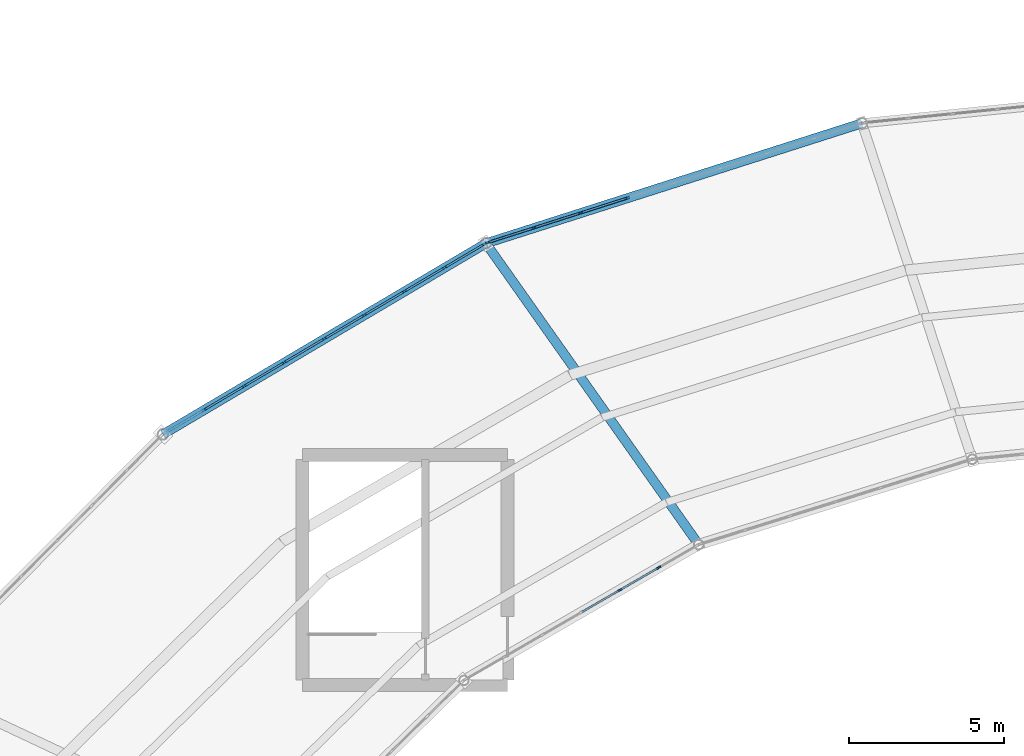
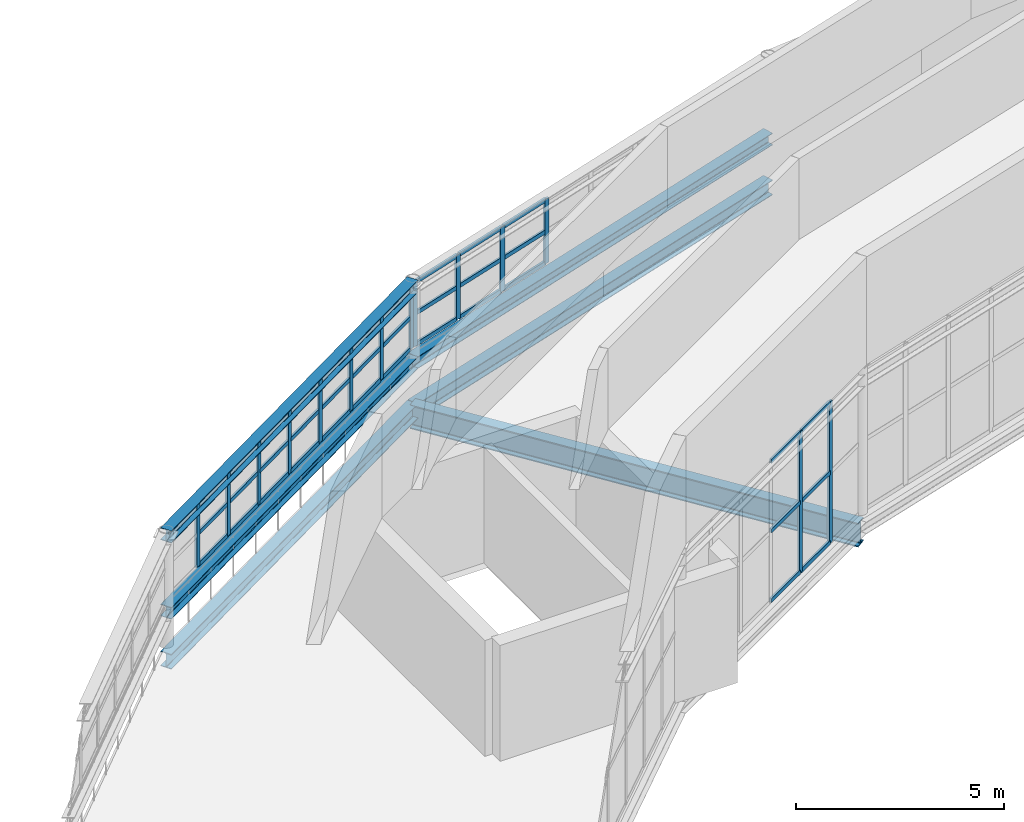
# One storey, part 49 of 123: 51 members, 6 beams, 3 elements without a shape of their own.
"""IFC4 building model written with IfcOpenShell, lengths in metres."""

from ifc_helpers import new_model, si_unit, direction, frame, origin, origin_2d, place, context, subcontext, project, spatial, rectangle, i_section, extrude, material, material_profile, profile_set, type_object, element, aggregate, save


model = new_model("IFC4")

# Units and contexts
model_context = context("Model", 3, precision=1e-05, world=origin(), true_north=direction((0.0, 1.0)))
body_context = subcontext(model_context, "Body", "Model", "MODEL_VIEW")
ifc_project = project(units=[si_unit("LENGTHUNIT", "METRE"), si_unit("AREAUNIT", "SQUARE_METRE"), si_unit("VOLUMEUNIT", "CUBIC_METRE"), si_unit("PLANEANGLEUNIT", "RADIAN"), si_unit("MASSUNIT", "GRAM", prefix="KILO")], contexts=[model_context])

# Site, building, storey
site_placement = place(None, origin())
site = spatial("IfcSite", under=ifc_project, at=site_placement, CompositionType="ELEMENT")
building_placement = place(site_placement, origin())
building = spatial("IfcBuilding", under=site, at=building_placement, Name="Kildeholm Park Wholesale Market", CompositionType="ELEMENT")
storey_placement = place(building_placement, frame((0.0, 0.0, 9.60009765625)))
storey = spatial("IfcBuildingStorey", under=building, at=storey_placement, Name="L02", CompositionType="ELEMENT", Elevation=9.60009765625)

# Beams
ifc_material_1 = material(Name="Steel S355", Category="steel")
ifc_material_profile_1 = material_profile(ifc_material_1, i_section(OverallWidth=0.300048828125, OverallDepth=0.699951171875, WebThickness=0.01708984375, FlangeThickness=0.031982421875, FilletRadius=0.027099609375, at=origin_2d()), Name="HEB 700")
ifc_profile_set_1 = profile_set([ifc_material_profile_1], Name="Steel S355")
beam_type_1 = type_object("IfcBeamType", Name="Beam B-G01 HEB 700", PredefinedType="BEAM", material=ifc_profile_set_1)
beam_1_placement = place(storey_placement, frame((80.75, 113.31591796875, -0.60009765625), z_axis=(-0.576894674263, 0.816818544603, 0.0), x_axis=(-0.816818544603, -0.576894674263, 0.0)))
element("IfcBeam", 1, at=beam_1_placement, inside=storey, type_object=beam_type_1, Name="Beam BM-V1-L02-R1-08 BM-0076", PredefinedType="BEAM", context=body_context, shape_type="SweptSolid", body=[
    extrude(i_section(OverallWidth=0.300048828125, OverallDepth=0.699951171875, WebThickness=0.01708984375, FlangeThickness=0.031982421875, FilletRadius=0.027099609375, at=origin_2d()), origin(), (0.0, 0.0, 1.0), 11.8740234375),
])
ifc_material_profile_2 = material_profile(ifc_material_1, i_section(OverallWidth=0.300048828125, OverallDepth=0.35009765625, WebThickness=0.010009765625, FlangeThickness=0.017578125, FilletRadius=0.027099609375, at=origin_2d()), Name="HEA 360")
ifc_profile_set_2 = profile_set([ifc_material_profile_2], Name="Steel S355")
beam_type_2 = type_object("IfcBeamType", Name="Beam B-R01 HEA 360", PredefinedType="BEAM", material=ifc_profile_set_2)
beam_2_placement = place(storey_placement, frame((86.007080078125, 126.881103515625, 0.94775390625), z_axis=(-0.952608649326, -0.304198555599, 0.0), x_axis=(0.304198555599, -0.952608649326, 0.0)))
element("IfcBeam", 2, at=beam_2_placement, inside=storey, type_object=beam_type_2, Name="Beam BM-V1-S1IN-07 BM-0263", PredefinedType="BEAM", context=body_context, shape_type="SweptSolid", body=[
    extrude(i_section(OverallWidth=0.300048828125, OverallDepth=0.35009765625, WebThickness=0.010009765625, FlangeThickness=0.017578125, FilletRadius=0.027099609375, at=origin_2d()), origin(), (0.0, 0.0, 1.0), 12.70947265625),
])
beam_3_placement = place(storey_placement, frame((73.89990234375, 123.014892578125, 0.94775390625), z_axis=(-0.860700316594, -0.509111937609, 0.0), x_axis=(0.509111937609, -0.860700316594, 0.0)))
element("IfcBeam", 3, at=beam_3_placement, inside=storey, type_object=beam_type_2, Name="Beam BM-V1-S1IN-08 BM-0269", PredefinedType="BEAM", context=body_context, shape_type="SweptSolid", body=[
    extrude(i_section(OverallWidth=0.300048828125, OverallDepth=0.35009765625, WebThickness=0.010009765625, FlangeThickness=0.017578125, FilletRadius=0.027099609375, at=origin_2d()), origin(), (0.0, 0.0, 1.0), 12.07958984375),
])
ifc_material_profile_3 = material_profile(ifc_material_1, i_section(OverallWidth=0.300048828125, OverallDepth=0.43994140625, WebThickness=0.011474609375, FlangeThickness=0.02099609375, FilletRadius=0.027099609375, at=origin_2d()), Name="HEA 450")
ifc_profile_set_3 = profile_set([ifc_material_profile_3], Name="Steel S355")
beam_type_3 = type_object("IfcBeamType", Name="Beam B-R02 HEA 450", PredefinedType="BEAM", material=ifc_profile_set_3)
beam_4_placement = place(storey_placement, frame((86.007080078125, 126.881103515625, -0.47412109375), z_axis=(-0.952608649326, -0.304198555599, 0.0), x_axis=(0.304198555599, -0.952608649326, 0.0)))
element("IfcBeam", 4, at=beam_4_placement, inside=storey, type_object=beam_type_3, Name="Beam BM-V1-L02-CM-07 BM-0073", PredefinedType="BEAM", context=body_context, shape_type="SweptSolid", body=[
    extrude(i_section(OverallWidth=0.300048828125, OverallDepth=0.43994140625, WebThickness=0.011474609375, FlangeThickness=0.02099609375, FilletRadius=0.027099609375, at=origin_2d()), origin(), (0.0, 0.0, 1.0), 12.70947265625),
])
beam_5_placement = place(storey_placement, frame((73.89990234375, 123.014892578125, -0.47412109375), z_axis=(-0.860700316594, -0.509111937609, 0.0), x_axis=(0.509111937609, -0.860700316594, 0.0)))
element("IfcBeam", 5, at=beam_5_placement, inside=storey, type_object=beam_type_3, Name="Beam BM-V1-L02-CM-08 BM-0082", PredefinedType="BEAM", context=body_context, shape_type="SweptSolid", body=[
    extrude(i_section(OverallWidth=0.300048828125, OverallDepth=0.43994140625, WebThickness=0.011474609375, FlangeThickness=0.02099609375, FilletRadius=0.027099609375, at=origin_2d()), origin(), (0.0, 0.0, 1.0), 12.07958984375),
])
ifc_material_profile_4 = material_profile(ifc_material_1, i_section(OverallWidth=0.300048828125, OverallDepth=0.360107421875, WebThickness=0.012451171875, FlangeThickness=0.0224609375, FilletRadius=0.027099609375, at=origin_2d()), Name="HEB 360")
ifc_profile_set_4 = profile_set([ifc_material_profile_4], Name="Steel S355")
beam_type_4 = type_object("IfcBeamType", Name="Beam B-R03 HEB 360", PredefinedType="BEAM", material=ifc_profile_set_4)
beam_6_placement = place(storey_placement, frame((73.89990234375, 123.014892578125, 3.18994140625), z_axis=(-0.860700316594, -0.509111937609, 0.0), x_axis=(0.509111937609, -0.860700316594, 0.0)))
element("IfcBeam", 6, at=beam_6_placement, inside=storey, type_object=beam_type_4, Name="Beam BM-V1-RF-M1-08 BM-0270", PredefinedType="BEAM", context=body_context, shape_type="SweptSolid", body=[
    extrude(i_section(OverallWidth=0.300048828125, OverallDepth=0.360107421875, WebThickness=0.012451171875, FlangeThickness=0.0224609375, FilletRadius=0.027099609375, at=origin_2d()), origin(), (0.0, 0.0, 1.0), 12.07958984375),
])

# Curtain wall, members
ifc_material_2 = material(Name="Anodised aluminium and low-E double-glazed glass", Category="aluminium")
curtain_wall_type = type_object("IfcCurtainWallType", Name="Clerestory daylight stick curtain wall CW-02", PredefinedType="NOTDEFINED", material=ifc_material_2)
curtain_wall_1_placement = place(storey_placement, origin())
curtain_wall_1 = element("IfcCurtainWall", 7, at=curtain_wall_1_placement, inside=storey, type_object=curtain_wall_type, Name="Curtain wall CW-V1-CL-07 CW-0036", PredefinedType="NOTDEFINED")
ifc_material_3 = material(Name="Anodised aluminium", Category="aluminium")
ifc_material_profile_5 = material_profile(ifc_material_3, rectangle(XDim=0.06005859375, YDim=0.14990234375, at=origin_2d()), Name="CWM 60x150")
ifc_profile_set_5 = profile_set([ifc_material_profile_5], Name="Anodised aluminium")
member_type_1 = type_object("IfcMemberType", Name="Curtain-wall mullion CWM-3 CWM 60x150", PredefinedType="MULLION", material=ifc_profile_set_5)
member_1_placement = place(storey_placement, frame((78.447509765625, 124.4716796875, 1.349853515625), z_axis=(0.0, 0.0, 1.0), x_axis=(0.304206822997, -0.952606009241, 0.0)))
member_1 = element("IfcMember", 8, at=member_1_placement, type_object=member_type_1, Name="CW-02 mullion 6 MEM-1394", PredefinedType="MULLION", context=body_context, shape_type="SweptSolid", body=[
    extrude(rectangle(XDim=0.06005859375, YDim=0.14990234375, at=origin_2d()), origin(), (0.0, 0.0, 1.0), 1.900146484375),
])
member_2_placement = place(storey_placement, frame((76.94384765625, 123.991455078125, 1.349853515625), z_axis=(0.0, 0.0, 1.0), x_axis=(0.304206822997, -0.952606009241, 0.0)))
member_2 = element("IfcMember", 9, at=member_2_placement, type_object=member_type_1, Name="CW-02 mullion 7 MEM-1395", PredefinedType="MULLION", context=body_context, shape_type="SweptSolid", body=[
    extrude(rectangle(XDim=0.06005859375, YDim=0.14990234375, at=origin_2d()), origin(), (0.0, 0.0, 1.0), 1.900146484375),
])
member_3_placement = place(storey_placement, frame((75.43994140625, 123.51123046875, 1.349853515625), z_axis=(0.0, 0.0, 1.0), x_axis=(0.304206822997, -0.952606009241, 0.0)))
member_3 = element("IfcMember", 10, at=member_3_placement, type_object=member_type_1, Name="CW-02 mullion 8 MEM-1396", PredefinedType="MULLION", context=body_context, shape_type="SweptSolid", body=[
    extrude(rectangle(XDim=0.06005859375, YDim=0.14990234375, at=origin_2d()), origin(), (0.0, 0.0, 1.0), 1.900146484375),
])
member_4_placement = place(storey_placement, frame((73.964599609375, 123.0400390625, 1.349853515625), z_axis=(0.0, 0.0, 1.0), x_axis=(0.304206822997, -0.952606009241, 0.0)))
member_4 = element("IfcMember", 11, at=member_4_placement, type_object=member_type_1, Name="CW-02 mullion 9 MEM-1397", PredefinedType="MULLION", context=body_context, shape_type="SweptSolid", body=[
    extrude(rectangle(XDim=0.06005859375, YDim=0.14990234375, at=origin_2d()), origin(), (0.0, 0.0, 1.0), 1.900146484375),
])

curtain_wall_2_placement = place(storey_placement, origin())
curtain_wall_2 = element("IfcCurtainWall", 12, at=curtain_wall_2_placement, inside=storey, type_object=curtain_wall_type, Name="Curtain wall CW-V1-CL-08 CW-0040", PredefinedType="NOTDEFINED")
member_5_placement = place(storey_placement, frame((73.836181640625, 122.982666015625, 1.349853515625), z_axis=(0.0, 0.0, 1.0), x_axis=(0.509105492275, -0.860704129033, 0.0)))
member_5 = element("IfcMember", 13, at=member_5_placement, type_object=member_type_1, Name="CW-02 mullion 1 MEM-1509", PredefinedType="MULLION", context=body_context, shape_type="SweptSolid", body=[
    extrude(rectangle(XDim=0.06005859375, YDim=0.14990234375, at=origin_2d()), origin(), (0.0, 0.0, 1.0), 1.900146484375),
])
member_6_placement = place(storey_placement, frame((72.571044921875, 122.234375, 1.349853515625), z_axis=(0.0, 0.0, 1.0), x_axis=(0.509105492275, -0.860704129033, 0.0)))
member_6 = element("IfcMember", 14, at=member_6_placement, type_object=member_type_1, Name="CW-02 mullion 2 MEM-1510", PredefinedType="MULLION", context=body_context, shape_type="SweptSolid", body=[
    extrude(rectangle(XDim=0.06005859375, YDim=0.14990234375, at=origin_2d()), origin(), (0.0, 0.0, 1.0), 1.900146484375),
])
member_7_placement = place(storey_placement, frame((71.280029296875, 121.470703125, 1.349853515625), z_axis=(0.0, 0.0, 1.0), x_axis=(0.509105492275, -0.860704129033, 0.0)))
member_7 = element("IfcMember", 15, at=member_7_placement, type_object=member_type_1, Name="CW-02 mullion 3 MEM-1511", PredefinedType="MULLION", context=body_context, shape_type="SweptSolid", body=[
    extrude(rectangle(XDim=0.06005859375, YDim=0.14990234375, at=origin_2d()), origin(), (0.0, 0.0, 1.0), 1.900146484375),
])
member_8_placement = place(storey_placement, frame((69.989013671875, 120.70703125, 1.349853515625), z_axis=(0.0, 0.0, 1.0), x_axis=(0.509105492275, -0.860704129033, 0.0)))
member_8 = element("IfcMember", 16, at=member_8_placement, type_object=member_type_1, Name="CW-02 mullion 4 MEM-1512", PredefinedType="MULLION", context=body_context, shape_type="SweptSolid", body=[
    extrude(rectangle(XDim=0.06005859375, YDim=0.14990234375, at=origin_2d()), origin(), (0.0, 0.0, 1.0), 1.900146484375),
])
member_9_placement = place(storey_placement, frame((68.697998046875, 119.943603515625, 1.349853515625), z_axis=(0.0, 0.0, 1.0), x_axis=(0.509105492275, -0.860704129033, 0.0)))
member_9 = element("IfcMember", 17, at=member_9_placement, type_object=member_type_1, Name="CW-02 mullion 5 MEM-1513", PredefinedType="MULLION", context=body_context, shape_type="SweptSolid", body=[
    extrude(rectangle(XDim=0.06005859375, YDim=0.14990234375, at=origin_2d()), origin(), (0.0, 0.0, 1.0), 1.900146484375),
])
member_10_placement = place(storey_placement, frame((67.406982421875, 119.179931640625, 1.349853515625), z_axis=(0.0, 0.0, 1.0), x_axis=(0.509105492275, -0.860704129033, 0.0)))
member_10 = element("IfcMember", 18, at=member_10_placement, type_object=member_type_1, Name="CW-02 mullion 6 MEM-1514", PredefinedType="MULLION", context=body_context, shape_type="SweptSolid", body=[
    extrude(rectangle(XDim=0.06005859375, YDim=0.14990234375, at=origin_2d()), origin(), (0.0, 0.0, 1.0), 1.900146484375),
])
member_11_placement = place(storey_placement, frame((66.115966796875, 118.416259765625, 1.349853515625), z_axis=(0.0, 0.0, 1.0), x_axis=(0.509105492275, -0.860704129033, 0.0)))
member_11 = element("IfcMember", 19, at=member_11_placement, type_object=member_type_1, Name="CW-02 mullion 7 MEM-1515", PredefinedType="MULLION", context=body_context, shape_type="SweptSolid", body=[
    extrude(rectangle(XDim=0.06005859375, YDim=0.14990234375, at=origin_2d()), origin(), (0.0, 0.0, 1.0), 1.900146484375),
])
member_12_placement = place(storey_placement, frame((64.824951171875, 117.652587890625, 1.349853515625), z_axis=(0.0, 0.0, 1.0), x_axis=(0.509105492275, -0.860704129033, 0.0)))
member_12 = element("IfcMember", 20, at=member_12_placement, type_object=member_type_1, Name="CW-02 mullion 8 MEM-1516", PredefinedType="MULLION", context=body_context, shape_type="SweptSolid", body=[
    extrude(rectangle(XDim=0.06005859375, YDim=0.14990234375, at=origin_2d()), origin(), (0.0, 0.0, 1.0), 1.900146484375),
])

curtain_wall_3_placement = place(storey_placement, origin())
curtain_wall_3 = element("IfcCurtainWall", 21, at=curtain_wall_3_placement, inside=storey, type_object=curtain_wall_type, Name="Curtain wall CW-V1-IN2-08 CW-0043", PredefinedType="NOTDEFINED")
member_13_placement = place(storey_placement, frame((79.463623046875, 112.577392578125, 0.0), z_axis=(0.0, 0.0, 1.0), x_axis=(0.500489412982, -0.865742656621, 0.0)))
member_13 = element("IfcMember", 22, at=member_13_placement, type_object=member_type_1, Name="CW-02 mullion 2 MEM-1593", PredefinedType="MULLION", context=body_context, shape_type="SweptSolid", body=[
    extrude(rectangle(XDim=0.06005859375, YDim=0.14990234375, at=origin_2d()), origin(), (0.0, 0.0, 1.0), 4.14990234375),
])
member_14_placement = place(storey_placement, frame((78.21533203125, 111.855712890625, 0.0), z_axis=(0.0, 0.0, 1.0), x_axis=(0.500489412982, -0.865742656621, 0.0)))
member_14 = element("IfcMember", 23, at=member_14_placement, type_object=member_type_1, Name="CW-02 mullion 3 MEM-1594", PredefinedType="MULLION", context=body_context, shape_type="SweptSolid", body=[
    extrude(rectangle(XDim=0.06005859375, YDim=0.14990234375, at=origin_2d()), origin(), (0.0, 0.0, 1.0), 4.14990234375),
])

# Member
ifc_material_profile_6 = material_profile(ifc_material_3, rectangle(XDim=0.06005859375, YDim=0.1201171875, at=origin_2d()), Name="CWT 60x120")
ifc_profile_set_6 = profile_set([ifc_material_profile_6], Name="Anodised aluminium")
member_type_2 = type_object("IfcMemberType", Name="Curtain-wall transom CWT-3 CWT 60x120", PredefinedType="USERDEFINED", material=ifc_profile_set_6)
member_15_placement = place(storey_placement, frame((78.4189453125, 124.462646484375, 1.3798828125), z_axis=(-0.952610648558, -0.304192294864, 0.0), x_axis=(0.304192294864, -0.952610648558, 0.0)))
member_15 = element("IfcMember", 24, at=member_15_placement, type_object=member_type_2, Name="CW-02 transom 6.1 MEM-1413", ObjectType="TRANSOM", PredefinedType="USERDEFINED", context=body_context, shape_type="SweptSolid", body=[
    extrude(rectangle(XDim=0.06005859375, YDim=0.1201171875, at=origin_2d()), origin(), (0.0, 0.0, 1.0), 1.5185546875),
])

member_16_placement = place(storey_placement, frame((78.4189453125, 124.462646484375, 2.2998046875), z_axis=(-0.952610648558, -0.304192294864, 0.0), x_axis=(0.304192294864, -0.952610648558, 0.0)))
member_16 = element("IfcMember", 25, at=member_16_placement, type_object=member_type_2, Name="CW-02 transom 6.2 MEM-1414", ObjectType="TRANSOM", PredefinedType="USERDEFINED", context=body_context, shape_type="SweptSolid", body=[
    extrude(rectangle(XDim=0.06005859375, YDim=0.1201171875, at=origin_2d()), origin(), (0.0, 0.0, 1.0), 1.5185546875),
])

member_17_placement = place(storey_placement, frame((78.4189453125, 124.462646484375, 3.219970703125), z_axis=(-0.952610648558, -0.304192294864, 0.0), x_axis=(0.304192294864, -0.952610648558, 0.0)))
member_17 = element("IfcMember", 26, at=member_17_placement, type_object=member_type_2, Name="CW-02 transom 6.3 MEM-1415", ObjectType="TRANSOM", PredefinedType="USERDEFINED", context=body_context, shape_type="SweptSolid", body=[
    extrude(rectangle(XDim=0.06005859375, YDim=0.1201171875, at=origin_2d()), origin(), (0.0, 0.0, 1.0), 1.5185546875),
])

member_18_placement = place(storey_placement, frame((76.915283203125, 123.982421875, 1.3798828125), z_axis=(-0.952578937282, -0.304291584252, 0.0), x_axis=(0.304291584252, -0.952578937282, 0.0)))
member_18 = element("IfcMember", 27, at=member_18_placement, type_object=member_type_2, Name="CW-02 transom 7.1 MEM-1416", ObjectType="TRANSOM", PredefinedType="USERDEFINED", context=body_context, shape_type="SweptSolid", body=[
    extrude(rectangle(XDim=0.06005859375, YDim=0.1201171875, at=origin_2d()), origin(), (0.0, 0.0, 1.0), 1.518798828125),
])

member_19_placement = place(storey_placement, frame((76.915283203125, 123.982421875, 2.2998046875), z_axis=(-0.952578937282, -0.304291584252, 0.0), x_axis=(0.304291584252, -0.952578937282, 0.0)))
member_19 = element("IfcMember", 28, at=member_19_placement, type_object=member_type_2, Name="CW-02 transom 7.2 MEM-1417", ObjectType="TRANSOM", PredefinedType="USERDEFINED", context=body_context, shape_type="SweptSolid", body=[
    extrude(rectangle(XDim=0.06005859375, YDim=0.1201171875, at=origin_2d()), origin(), (0.0, 0.0, 1.0), 1.518798828125),
])

member_20_placement = place(storey_placement, frame((76.915283203125, 123.982421875, 3.219970703125), z_axis=(-0.952578937282, -0.304291584252, 0.0), x_axis=(0.304291584252, -0.952578937282, 0.0)))
member_20 = element("IfcMember", 29, at=member_20_placement, type_object=member_type_2, Name="CW-02 transom 7.3 MEM-1418", ObjectType="TRANSOM", PredefinedType="USERDEFINED", context=body_context, shape_type="SweptSolid", body=[
    extrude(rectangle(XDim=0.06005859375, YDim=0.1201171875, at=origin_2d()), origin(), (0.0, 0.0, 1.0), 1.518798828125),
])

member_21_placement = place(storey_placement, frame((75.411376953125, 123.502197265625, 1.3798828125), z_axis=(-0.952608667533, -0.304198498584, 0.0), x_axis=(0.304198498584, -0.952608667533, 0.0)))
member_21 = element("IfcMember", 30, at=member_21_placement, type_object=member_type_2, Name="CW-02 transom 8.1 MEM-1419", ObjectType="TRANSOM", PredefinedType="USERDEFINED", context=body_context, shape_type="SweptSolid", body=[
    extrude(rectangle(XDim=0.06005859375, YDim=0.1201171875, at=origin_2d()), origin(), (0.0, 0.0, 1.0), 1.48876953125),
])

member_22_placement = place(storey_placement, frame((75.411376953125, 123.502197265625, 2.2998046875), z_axis=(-0.952608667533, -0.304198498584, 0.0), x_axis=(0.304198498584, -0.952608667533, 0.0)))
member_22 = element("IfcMember", 31, at=member_22_placement, type_object=member_type_2, Name="CW-02 transom 8.2 MEM-1420", ObjectType="TRANSOM", PredefinedType="USERDEFINED", context=body_context, shape_type="SweptSolid", body=[
    extrude(rectangle(XDim=0.06005859375, YDim=0.1201171875, at=origin_2d()), origin(), (0.0, 0.0, 1.0), 1.48876953125),
])

member_23_placement = place(storey_placement, frame((75.411376953125, 123.502197265625, 3.219970703125), z_axis=(-0.952608667533, -0.304198498584, 0.0), x_axis=(0.304198498584, -0.952608667533, 0.0)))
member_23 = element("IfcMember", 32, at=member_23_placement, type_object=member_type_2, Name="CW-02 transom 8.3 MEM-1421", ObjectType="TRANSOM", PredefinedType="USERDEFINED", context=body_context, shape_type="SweptSolid", body=[
    extrude(rectangle(XDim=0.06005859375, YDim=0.1201171875, at=origin_2d()), origin(), (0.0, 0.0, 1.0), 1.48876953125),
])

aggregate(curtain_wall_1, [member_1, member_2, member_3, member_4, member_15, member_16, member_17, member_18, member_19, member_20, member_21, member_22, member_23])

member_24_placement = place(storey_placement, frame((73.810302734375, 122.967529296875, 1.3798828125), z_axis=(-0.860685098679, -0.509137664008, 0.0), x_axis=(0.509137664008, -0.860685098679, 0.0)))
member_24 = element("IfcMember", 33, at=member_24_placement, type_object=member_type_2, Name="CW-02 transom 1.1 MEM-1518", ObjectType="TRANSOM", PredefinedType="USERDEFINED", context=body_context, shape_type="SweptSolid", body=[
    extrude(rectangle(XDim=0.06005859375, YDim=0.1201171875, at=origin_2d()), origin(), (0.0, 0.0, 1.0), 1.40966796875),
])

member_25_placement = place(storey_placement, frame((73.810302734375, 122.967529296875, 2.2998046875), z_axis=(-0.860685098679, -0.509137664008, 0.0), x_axis=(0.509137664008, -0.860685098679, 0.0)))
member_25 = element("IfcMember", 34, at=member_25_placement, type_object=member_type_2, Name="CW-02 transom 1.2 MEM-1519", ObjectType="TRANSOM", PredefinedType="USERDEFINED", context=body_context, shape_type="SweptSolid", body=[
    extrude(rectangle(XDim=0.06005859375, YDim=0.1201171875, at=origin_2d()), origin(), (0.0, 0.0, 1.0), 1.40966796875),
])

member_26_placement = place(storey_placement, frame((73.810302734375, 122.967529296875, 3.219970703125), z_axis=(-0.860685098679, -0.509137664008, 0.0), x_axis=(0.509137664008, -0.860685098679, 0.0)))
member_26 = element("IfcMember", 35, at=member_26_placement, type_object=member_type_2, Name="CW-02 transom 1.3 MEM-1520", ObjectType="TRANSOM", PredefinedType="USERDEFINED", context=body_context, shape_type="SweptSolid", body=[
    extrude(rectangle(XDim=0.06005859375, YDim=0.1201171875, at=origin_2d()), origin(), (0.0, 0.0, 1.0), 1.40966796875),
])

member_27_placement = place(storey_placement, frame((72.545166015625, 122.218994140625, 1.3798828125), z_axis=(-0.860737422869, -0.509049200838, 0.0), x_axis=(0.509049200838, -0.860737422869, 0.0)))
member_27 = element("IfcMember", 36, at=member_27_placement, type_object=member_type_2, Name="CW-02 transom 2.1 MEM-1521", ObjectType="TRANSOM", PredefinedType="USERDEFINED", context=body_context, shape_type="SweptSolid", body=[
    extrude(rectangle(XDim=0.06005859375, YDim=0.1201171875, at=origin_2d()), origin(), (0.0, 0.0, 1.0), 1.439697265625),
])

member_28_placement = place(storey_placement, frame((72.545166015625, 122.218994140625, 2.2998046875), z_axis=(-0.860737422869, -0.509049200838, 0.0), x_axis=(0.509049200838, -0.860737422869, 0.0)))
member_28 = element("IfcMember", 37, at=member_28_placement, type_object=member_type_2, Name="CW-02 transom 2.2 MEM-1522", ObjectType="TRANSOM", PredefinedType="USERDEFINED", context=body_context, shape_type="SweptSolid", body=[
    extrude(rectangle(XDim=0.06005859375, YDim=0.1201171875, at=origin_2d()), origin(), (0.0, 0.0, 1.0), 1.439697265625),
])

member_29_placement = place(storey_placement, frame((72.545166015625, 122.218994140625, 3.219970703125), z_axis=(-0.860737422869, -0.509049200838, 0.0), x_axis=(0.509049200838, -0.860737422869, 0.0)))
member_29 = element("IfcMember", 38, at=member_29_placement, type_object=member_type_2, Name="CW-02 transom 2.3 MEM-1523", ObjectType="TRANSOM", PredefinedType="USERDEFINED", context=body_context, shape_type="SweptSolid", body=[
    extrude(rectangle(XDim=0.06005859375, YDim=0.1201171875, at=origin_2d()), origin(), (0.0, 0.0, 1.0), 1.439697265625),
])

member_30_placement = place(storey_placement, frame((71.254150390625, 121.45556640625, 1.3798828125), z_axis=(-0.860663121706, -0.509174813728, 0.0), x_axis=(0.509174813728, -0.860663121706, 0.0)))
member_30 = element("IfcMember", 39, at=member_30_placement, type_object=member_type_2, Name="CW-02 transom 3.1 MEM-1524", ObjectType="TRANSOM", PredefinedType="USERDEFINED", context=body_context, shape_type="SweptSolid", body=[
    extrude(rectangle(XDim=0.06005859375, YDim=0.1201171875, at=origin_2d()), origin(), (0.0, 0.0, 1.0), 1.43994140625),
])

member_31_placement = place(storey_placement, frame((71.254150390625, 121.45556640625, 2.2998046875), z_axis=(-0.860663121706, -0.509174813728, 0.0), x_axis=(0.509174813728, -0.860663121706, 0.0)))
member_31 = element("IfcMember", 40, at=member_31_placement, type_object=member_type_2, Name="CW-02 transom 3.2 MEM-1525", ObjectType="TRANSOM", PredefinedType="USERDEFINED", context=body_context, shape_type="SweptSolid", body=[
    extrude(rectangle(XDim=0.06005859375, YDim=0.1201171875, at=origin_2d()), origin(), (0.0, 0.0, 1.0), 1.43994140625),
])

member_32_placement = place(storey_placement, frame((71.254150390625, 121.45556640625, 3.219970703125), z_axis=(-0.860663121706, -0.509174813728, 0.0), x_axis=(0.509174813728, -0.860663121706, 0.0)))
member_32 = element("IfcMember", 41, at=member_32_placement, type_object=member_type_2, Name="CW-02 transom 3.3 MEM-1526", ObjectType="TRANSOM", PredefinedType="USERDEFINED", context=body_context, shape_type="SweptSolid", body=[
    extrude(rectangle(XDim=0.06005859375, YDim=0.1201171875, at=origin_2d()), origin(), (0.0, 0.0, 1.0), 1.43994140625),
])

member_33_placement = place(storey_placement, frame((69.963134765625, 120.69189453125, 1.3798828125), z_axis=(-0.860663121706, -0.509174813728, 0.0), x_axis=(0.509174813728, -0.860663121706, 0.0)))
member_33 = element("IfcMember", 42, at=member_33_placement, type_object=member_type_2, Name="CW-02 transom 4.1 MEM-1527", ObjectType="TRANSOM", PredefinedType="USERDEFINED", context=body_context, shape_type="SweptSolid", body=[
    extrude(rectangle(XDim=0.06005859375, YDim=0.1201171875, at=origin_2d()), origin(), (0.0, 0.0, 1.0), 1.43994140625),
])

member_34_placement = place(storey_placement, frame((69.963134765625, 120.69189453125, 2.2998046875), z_axis=(-0.860663121706, -0.509174813728, 0.0), x_axis=(0.509174813728, -0.860663121706, 0.0)))
member_34 = element("IfcMember", 43, at=member_34_placement, type_object=member_type_2, Name="CW-02 transom 4.2 MEM-1528", ObjectType="TRANSOM", PredefinedType="USERDEFINED", context=body_context, shape_type="SweptSolid", body=[
    extrude(rectangle(XDim=0.06005859375, YDim=0.1201171875, at=origin_2d()), origin(), (0.0, 0.0, 1.0), 1.43994140625),
])

member_35_placement = place(storey_placement, frame((69.963134765625, 120.69189453125, 3.219970703125), z_axis=(-0.860663121706, -0.509174813728, 0.0), x_axis=(0.509174813728, -0.860663121706, 0.0)))
member_35 = element("IfcMember", 44, at=member_35_placement, type_object=member_type_2, Name="CW-02 transom 4.3 MEM-1529", ObjectType="TRANSOM", PredefinedType="USERDEFINED", context=body_context, shape_type="SweptSolid", body=[
    extrude(rectangle(XDim=0.06005859375, YDim=0.1201171875, at=origin_2d()), origin(), (0.0, 0.0, 1.0), 1.43994140625),
])

member_36_placement = place(storey_placement, frame((68.672119140625, 119.92822265625, 1.3798828125), z_axis=(-0.860663121706, -0.509174813728, 0.0), x_axis=(0.509174813728, -0.860663121706, 0.0)))
member_36 = element("IfcMember", 45, at=member_36_placement, type_object=member_type_2, Name="CW-02 transom 5.1 MEM-1530", ObjectType="TRANSOM", PredefinedType="USERDEFINED", context=body_context, shape_type="SweptSolid", body=[
    extrude(rectangle(XDim=0.06005859375, YDim=0.1201171875, at=origin_2d()), origin(), (0.0, 0.0, 1.0), 1.43994140625),
])

member_37_placement = place(storey_placement, frame((68.672119140625, 119.92822265625, 2.2998046875), z_axis=(-0.860663121706, -0.509174813728, 0.0), x_axis=(0.509174813728, -0.860663121706, 0.0)))
member_37 = element("IfcMember", 46, at=member_37_placement, type_object=member_type_2, Name="CW-02 transom 5.2 MEM-1531", ObjectType="TRANSOM", PredefinedType="USERDEFINED", context=body_context, shape_type="SweptSolid", body=[
    extrude(rectangle(XDim=0.06005859375, YDim=0.1201171875, at=origin_2d()), origin(), (0.0, 0.0, 1.0), 1.43994140625),
])

member_38_placement = place(storey_placement, frame((68.672119140625, 119.92822265625, 3.219970703125), z_axis=(-0.860663121706, -0.509174813728, 0.0), x_axis=(0.509174813728, -0.860663121706, 0.0)))
member_38 = element("IfcMember", 47, at=member_38_placement, type_object=member_type_2, Name="CW-02 transom 5.3 MEM-1532", ObjectType="TRANSOM", PredefinedType="USERDEFINED", context=body_context, shape_type="SweptSolid", body=[
    extrude(rectangle(XDim=0.06005859375, YDim=0.1201171875, at=origin_2d()), origin(), (0.0, 0.0, 1.0), 1.43994140625),
])

member_39_placement = place(storey_placement, frame((67.381103515625, 119.16455078125, 1.3798828125), z_axis=(-0.860737422869, -0.509049200838, 0.0), x_axis=(0.509049200838, -0.860737422869, 0.0)))
member_39 = element("IfcMember", 48, at=member_39_placement, type_object=member_type_2, Name="CW-02 transom 6.1 MEM-1533", ObjectType="TRANSOM", PredefinedType="USERDEFINED", context=body_context, shape_type="SweptSolid", body=[
    extrude(rectangle(XDim=0.06005859375, YDim=0.1201171875, at=origin_2d()), origin(), (0.0, 0.0, 1.0), 1.439697265625),
])

member_40_placement = place(storey_placement, frame((67.381103515625, 119.16455078125, 2.2998046875), z_axis=(-0.860737422869, -0.509049200838, 0.0), x_axis=(0.509049200838, -0.860737422869, 0.0)))
member_40 = element("IfcMember", 49, at=member_40_placement, type_object=member_type_2, Name="CW-02 transom 6.2 MEM-1534", ObjectType="TRANSOM", PredefinedType="USERDEFINED", context=body_context, shape_type="SweptSolid", body=[
    extrude(rectangle(XDim=0.06005859375, YDim=0.1201171875, at=origin_2d()), origin(), (0.0, 0.0, 1.0), 1.439697265625),
])

member_41_placement = place(storey_placement, frame((67.381103515625, 119.16455078125, 3.219970703125), z_axis=(-0.860737422869, -0.509049200838, 0.0), x_axis=(0.509049200838, -0.860737422869, 0.0)))
member_41 = element("IfcMember", 50, at=member_41_placement, type_object=member_type_2, Name="CW-02 transom 6.3 MEM-1535", ObjectType="TRANSOM", PredefinedType="USERDEFINED", context=body_context, shape_type="SweptSolid", body=[
    extrude(rectangle(XDim=0.06005859375, YDim=0.1201171875, at=origin_2d()), origin(), (0.0, 0.0, 1.0), 1.439697265625),
])

member_42_placement = place(storey_placement, frame((66.090087890625, 118.40087890625, 1.3798828125), z_axis=(-0.860737422869, -0.509049200838, 0.0), x_axis=(0.509049200838, -0.860737422869, 0.0)))
member_42 = element("IfcMember", 51, at=member_42_placement, type_object=member_type_2, Name="CW-02 transom 7.1 MEM-1536", ObjectType="TRANSOM", PredefinedType="USERDEFINED", context=body_context, shape_type="SweptSolid", body=[
    extrude(rectangle(XDim=0.06005859375, YDim=0.1201171875, at=origin_2d()), origin(), (0.0, 0.0, 1.0), 1.439697265625),
])

member_43_placement = place(storey_placement, frame((66.090087890625, 118.40087890625, 2.2998046875), z_axis=(-0.860737422869, -0.509049200838, 0.0), x_axis=(0.509049200838, -0.860737422869, 0.0)))
member_43 = element("IfcMember", 52, at=member_43_placement, type_object=member_type_2, Name="CW-02 transom 7.2 MEM-1537", ObjectType="TRANSOM", PredefinedType="USERDEFINED", context=body_context, shape_type="SweptSolid", body=[
    extrude(rectangle(XDim=0.06005859375, YDim=0.1201171875, at=origin_2d()), origin(), (0.0, 0.0, 1.0), 1.439697265625),
])

member_44_placement = place(storey_placement, frame((66.090087890625, 118.40087890625, 3.219970703125), z_axis=(-0.860737422869, -0.509049200838, 0.0), x_axis=(0.509049200838, -0.860737422869, 0.0)))
member_44 = element("IfcMember", 53, at=member_44_placement, type_object=member_type_2, Name="CW-02 transom 7.3 MEM-1538", ObjectType="TRANSOM", PredefinedType="USERDEFINED", context=body_context, shape_type="SweptSolid", body=[
    extrude(rectangle(XDim=0.06005859375, YDim=0.1201171875, at=origin_2d()), origin(), (0.0, 0.0, 1.0), 1.439697265625),
])

member_45_placement = place(storey_placement, frame((64.799072265625, 117.637451171875, 3.219970703125), z_axis=(-0.860609208808, -0.509265932214, 0.0), x_axis=(0.509265932214, -0.860609208808, 0.0)))
member_45 = element("IfcMember", 54, at=member_45_placement, type_object=member_type_2, Name="CW-02 transom 8.3 MEM-1541", ObjectType="TRANSOM", PredefinedType="USERDEFINED", context=body_context, shape_type="SweptSolid", body=[
    extrude(rectangle(XDim=0.06005859375, YDim=0.1201171875, at=origin_2d()), origin(), (0.0, 0.0, 1.0), 1.409912109375),
])

aggregate(curtain_wall_2, [member_5, member_6, member_7, member_8, member_9, member_10, member_11, member_12, member_24, member_25, member_26, member_27, member_28, member_29, member_30, member_31, member_32, member_33, member_34, member_35, member_36, member_37, member_38, member_39, member_40, member_41, member_42, member_43, member_44, member_45])

member_46_placement = place(storey_placement, frame((79.437744140625, 112.562255859375, 0.02978515625), z_axis=(-0.865764729264, -0.500451229954, 0.0), x_axis=(0.500451229954, -0.865764729264, 0.0)))
member_46 = element("IfcMember", 55, at=member_46_placement, type_object=member_type_2, Name="CW-02 transom 2.1 MEM-1602", ObjectType="TRANSOM", PredefinedType="USERDEFINED", context=body_context, shape_type="SweptSolid", body=[
    extrude(rectangle(XDim=0.06005859375, YDim=0.1201171875, at=origin_2d()), origin(), (0.0, 0.0, 1.0), 1.382080078125),
])

member_47_placement = place(storey_placement, frame((79.437744140625, 112.562255859375, 2.074951171875), z_axis=(-0.865764729264, -0.500451229954, 0.0), x_axis=(0.500451229954, -0.865764729264, 0.0)))
member_47 = element("IfcMember", 56, at=member_47_placement, type_object=member_type_2, Name="CW-02 transom 2.2 MEM-1603", ObjectType="TRANSOM", PredefinedType="USERDEFINED", context=body_context, shape_type="SweptSolid", body=[
    extrude(rectangle(XDim=0.06005859375, YDim=0.1201171875, at=origin_2d()), origin(), (0.0, 0.0, 1.0), 1.382080078125),
])

member_48_placement = place(storey_placement, frame((79.437744140625, 112.562255859375, 4.119873046875), z_axis=(-0.865764729264, -0.500451229954, 0.0), x_axis=(0.500451229954, -0.865764729264, 0.0)))
member_48 = element("IfcMember", 57, at=member_48_placement, type_object=member_type_2, Name="CW-02 transom 2.3 MEM-1604", ObjectType="TRANSOM", PredefinedType="USERDEFINED", context=body_context, shape_type="SweptSolid", body=[
    extrude(rectangle(XDim=0.06005859375, YDim=0.1201171875, at=origin_2d()), origin(), (0.0, 0.0, 1.0), 1.382080078125),
])

member_49_placement = place(storey_placement, frame((78.189453125, 111.840576171875, 0.02978515625), z_axis=(-0.865764729264, -0.500451229954, 0.0), x_axis=(0.500451229954, -0.865764729264, 0.0)))
member_49 = element("IfcMember", 58, at=member_49_placement, type_object=member_type_2, Name="CW-02 transom 3.1 MEM-1605", ObjectType="TRANSOM", PredefinedType="USERDEFINED", context=body_context, shape_type="SweptSolid", body=[
    extrude(rectangle(XDim=0.06005859375, YDim=0.1201171875, at=origin_2d()), origin(), (0.0, 0.0, 1.0), 1.382080078125),
])

member_50_placement = place(storey_placement, frame((78.189453125, 111.840576171875, 2.074951171875), z_axis=(-0.865764729264, -0.500451229954, 0.0), x_axis=(0.500451229954, -0.865764729264, 0.0)))
member_50 = element("IfcMember", 59, at=member_50_placement, type_object=member_type_2, Name="CW-02 transom 3.2 MEM-1606", ObjectType="TRANSOM", PredefinedType="USERDEFINED", context=body_context, shape_type="SweptSolid", body=[
    extrude(rectangle(XDim=0.06005859375, YDim=0.1201171875, at=origin_2d()), origin(), (0.0, 0.0, 1.0), 1.382080078125),
])

member_51_placement = place(storey_placement, frame((78.189453125, 111.840576171875, 4.119873046875), z_axis=(-0.865764729264, -0.500451229954, 0.0), x_axis=(0.500451229954, -0.865764729264, 0.0)))
member_51 = element("IfcMember", 60, at=member_51_placement, type_object=member_type_2, Name="CW-02 transom 3.3 MEM-1607", ObjectType="TRANSOM", PredefinedType="USERDEFINED", context=body_context, shape_type="SweptSolid", body=[
    extrude(rectangle(XDim=0.06005859375, YDim=0.1201171875, at=origin_2d()), origin(), (0.0, 0.0, 1.0), 1.382080078125),
])

aggregate(curtain_wall_3, [member_13, member_14, member_46, member_47, member_48, member_49, member_50, member_51])

save(model, "model.ifc")
